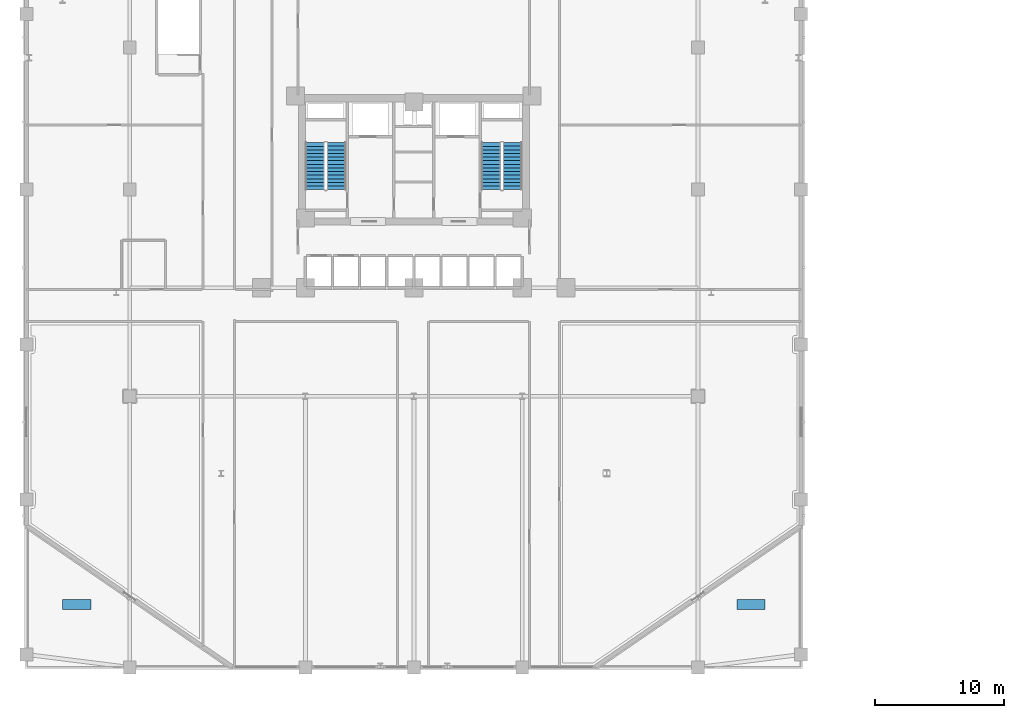
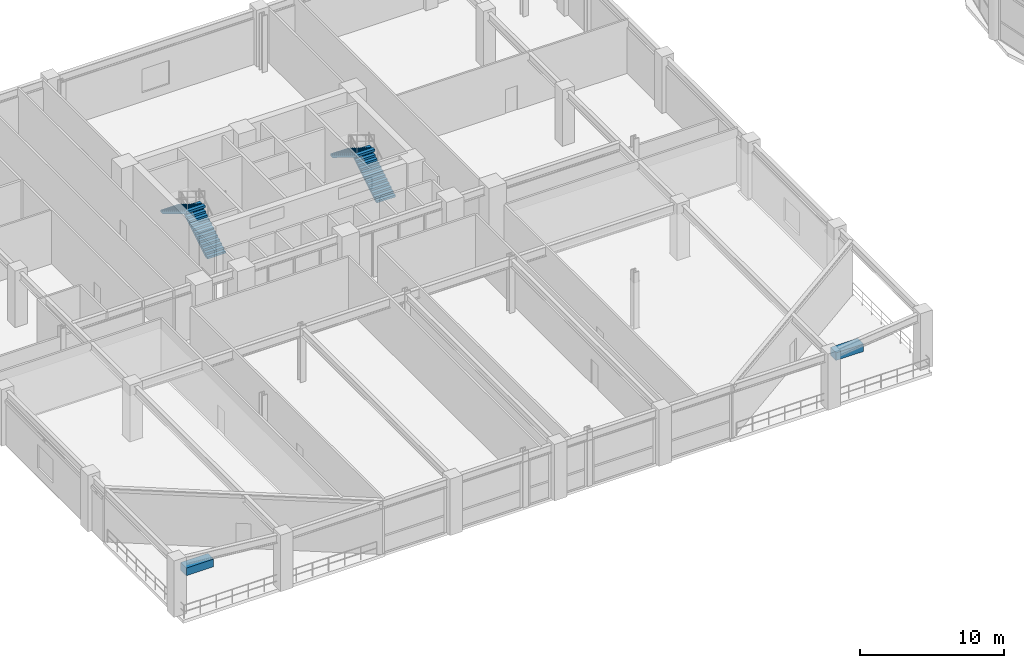
# One storey, part 19 of 26: 4 stair flights, 2 discrete accessories, 2 elements without a shape of their own.
"""IFC4 building model written with IfcOpenShell, lengths in metres."""

from ifc_helpers import new_model, si_unit, derived_unit, direction, frame, origin, origin_2d, place, context, subcontext, project, spatial, polyline, rectangle, outline, extrude, source, transform, mapped, material, type_object, element, aggregate, save


model = new_model("IFC4")

# Units and contexts
model_context = context("Model", 3, precision=1e-05, world=origin(), true_north=direction((0.0, 1.0)))
body_context = subcontext(model_context, "Body", "Model", "MODEL_VIEW")
ifc_project = project(units=[si_unit("LENGTHUNIT", "METRE"), si_unit("AREAUNIT", "SQUARE_METRE"), si_unit("VOLUMEUNIT", "CUBIC_METRE"), si_unit("PLANEANGLEUNIT", "RADIAN"), si_unit("MASSUNIT", "GRAM", prefix="KILO"), derived_unit("THERMALTRANSMITTANCEUNIT", [(si_unit("POWERUNIT", "WATT"), 1), (si_unit("LENGTHUNIT", "METRE"), -2), (si_unit("THERMODYNAMICTEMPERATUREUNIT", "KELVIN"), -1)])], contexts=[model_context])

# Site, building, storey
site_placement = place(None, origin())
site = spatial("IfcSite", under=ifc_project, at=site_placement, CompositionType="ELEMENT")
building_placement = place(site_placement, origin())
building = spatial("IfcBuilding", under=site, at=building_placement, Name="Korsvarv Bourse and Concert Hall", CompositionType="ELEMENT")
storey_placement = place(building_placement, frame((0.0, 0.0, 19.199951171875)))
storey = spatial("IfcBuildingStorey", under=building, at=storey_placement, Name="L04", CompositionType="ELEMENT", Elevation=19.199951171875)

# Stair, stair flights
ifc_material_1 = material(Name="Precast concrete C45/55", Category="concrete")
stair_type = type_object("IfcStairType", Name="STR-TYPE-02", PredefinedType="HALF_TURN_STAIR", material=ifc_material_1)
stair_1_placement = place(storey_placement, origin())
stair_1 = element("IfcStair", 1, at=stair_1_placement, inside=storey, type_object=stair_type, Name="L04 Tower West Exit Stair ST-T1", PredefinedType="HALF_TURN_STAIR")
stair_flight_type = type_object("IfcStairFlightType", Name="FLT-TYPE-02", PredefinedType="STRAIGHT", material=ifc_material_1)
stair_flight_1_placement = place(storey_placement, frame((30.010009765625, 40.0, 0.0), z_axis=(0.0, 0.0, 1.0), x_axis=(0.0, 1.0, 0.0)))
stair_flight_1 = element("IfcStairFlight", 2, at=stair_flight_1_placement, type_object=stair_flight_type, Name="ST-T1 flight 1", NumberOfRisers=14, NumberOfTreads=13, PredefinedType="STRAIGHT", RiserHeight=0.171428571, TreadLength=0.28, context=body_context, shape_type="SweptSolid", body=[
    extrude(outline(polyline([(0.0, 0.0), (0.0, 0.17138671875), (0.280029296875, 0.17138671875), (0.280029296875, 0.3427734375), (0.56005859375, 0.3427734375), (0.56005859375, 0.514404296875), (0.840087890625, 0.514404296875), (0.840087890625, 0.685791015625), (1.1201171875, 0.685791015625), (1.1201171875, 0.857177734375), (1.39990234375, 0.857177734375), (1.39990234375, 1.028564453125), (1.679931640625, 1.028564453125), (1.679931640625, 1.199951171875), (1.9599609375, 1.199951171875), (1.9599609375, 1.371337890625), (2.239990234375, 1.371337890625), (2.239990234375, 1.54296875), (2.52001953125, 1.54296875), (2.52001953125, 1.71435546875), (2.800048828125, 1.71435546875), (2.800048828125, 1.8857421875), (3.080078125, 1.8857421875), (3.080078125, 2.05712890625), (3.360107421875, 2.05712890625), (3.360107421875, 2.228515625), (3.639892578125, 2.228515625), (3.639892578125, 2.39990234375), (3.639892578125, 2.052734375), (0.287109375, 0.0), (0.0, 0.0)])), frame((0.0, 0.75, 0.0), z_axis=(0.0, -1.0, 0.0), x_axis=(1.0, 0.0, 0.0)), (0.0, 0.0, 1.0), 1.5),
])
stair_flight_2_placement = place(storey_placement, frame((28.35009765625, 43.639892578125, 2.400146484375), z_axis=(0.0, 0.0, 1.0), x_axis=(0.0, -1.0, 0.0)))
stair_flight_2 = element("IfcStairFlight", 3, at=stair_flight_2_placement, type_object=stair_flight_type, Name="ST-T1 flight 2", NumberOfRisers=14, NumberOfTreads=13, PredefinedType="STRAIGHT", RiserHeight=0.171428571, TreadLength=0.28, context=body_context, shape_type="SweptSolid", body=[
    extrude(outline(polyline([(0.0, 0.0), (0.0, 0.17138671875), (0.280029296875, 0.17138671875), (0.280029296875, 0.3427734375), (0.56005859375, 0.3427734375), (0.56005859375, 0.514404296875), (0.840087890625, 0.514404296875), (0.840087890625, 0.685791015625), (1.1201171875, 0.685791015625), (1.1201171875, 0.857177734375), (1.39990234375, 0.857177734375), (1.39990234375, 1.028564453125), (1.679931640625, 1.028564453125), (1.679931640625, 1.199951171875), (1.9599609375, 1.199951171875), (1.9599609375, 1.371337890625), (2.239990234375, 1.371337890625), (2.239990234375, 1.54296875), (2.52001953125, 1.54296875), (2.52001953125, 1.71435546875), (2.800048828125, 1.71435546875), (2.800048828125, 1.8857421875), (3.080078125, 1.8857421875), (3.080078125, 2.05712890625), (3.360107421875, 2.05712890625), (3.360107421875, 2.228515625), (3.639892578125, 2.228515625), (3.639892578125, 2.39990234375), (3.639892578125, 2.052734375), (0.287109375, 0.0), (0.0, 0.0)])), frame((0.0, 0.75, 0.0), z_axis=(0.0, -1.0, 0.0), x_axis=(1.0, 0.0, 0.0)), (0.0, 0.0, 1.0), 1.5),
])
aggregate(stair_1, [stair_flight_1, stair_flight_2])

stair_2_placement = place(storey_placement, origin())
stair_2 = element("IfcStair", 4, at=stair_2_placement, inside=storey, type_object=stair_type, Name="L04 Tower East Exit Stair ST-T2", PredefinedType="HALF_TURN_STAIR")
stair_flight_3_placement = place(storey_placement, frame((43.64990234375, 40.0, 0.0), z_axis=(0.0, 0.0, 1.0), x_axis=(0.0, 1.0, 0.0)))
stair_flight_3 = element("IfcStairFlight", 5, at=stair_flight_3_placement, type_object=stair_flight_type, Name="ST-T2 flight 1", NumberOfRisers=14, NumberOfTreads=13, PredefinedType="STRAIGHT", RiserHeight=0.171428571, TreadLength=0.28, context=body_context, shape_type="SweptSolid", body=[
    extrude(outline(polyline([(0.0, 0.0), (0.0, 0.17138671875), (0.280029296875, 0.17138671875), (0.280029296875, 0.3427734375), (0.56005859375, 0.3427734375), (0.56005859375, 0.514404296875), (0.840087890625, 0.514404296875), (0.840087890625, 0.685791015625), (1.1201171875, 0.685791015625), (1.1201171875, 0.857177734375), (1.39990234375, 0.857177734375), (1.39990234375, 1.028564453125), (1.679931640625, 1.028564453125), (1.679931640625, 1.199951171875), (1.9599609375, 1.199951171875), (1.9599609375, 1.371337890625), (2.239990234375, 1.371337890625), (2.239990234375, 1.54296875), (2.52001953125, 1.54296875), (2.52001953125, 1.71435546875), (2.800048828125, 1.71435546875), (2.800048828125, 1.8857421875), (3.080078125, 1.8857421875), (3.080078125, 2.05712890625), (3.360107421875, 2.05712890625), (3.360107421875, 2.228515625), (3.639892578125, 2.228515625), (3.639892578125, 2.39990234375), (3.639892578125, 2.052734375), (0.287109375, 0.0), (0.0, 0.0)])), frame((0.0, 0.75, 0.0), z_axis=(0.0, -1.0, 0.0), x_axis=(1.0, 0.0, 0.0)), (0.0, 0.0, 1.0), 1.5),
])
stair_flight_4_placement = place(storey_placement, frame((41.989990234375, 43.639892578125, 2.400146484375), z_axis=(0.0, 0.0, 1.0), x_axis=(0.0, -1.0, 0.0)))
stair_flight_4 = element("IfcStairFlight", 6, at=stair_flight_4_placement, type_object=stair_flight_type, Name="ST-T2 flight 2", NumberOfRisers=14, NumberOfTreads=13, PredefinedType="STRAIGHT", RiserHeight=0.171428571, TreadLength=0.28, context=body_context, shape_type="SweptSolid", body=[
    extrude(outline(polyline([(0.0, 0.0), (0.0, 0.17138671875), (0.280029296875, 0.17138671875), (0.280029296875, 0.3427734375), (0.56005859375, 0.3427734375), (0.56005859375, 0.514404296875), (0.840087890625, 0.514404296875), (0.840087890625, 0.685791015625), (1.1201171875, 0.685791015625), (1.1201171875, 0.857177734375), (1.39990234375, 0.857177734375), (1.39990234375, 1.028564453125), (1.679931640625, 1.028564453125), (1.679931640625, 1.199951171875), (1.9599609375, 1.199951171875), (1.9599609375, 1.371337890625), (2.239990234375, 1.371337890625), (2.239990234375, 1.54296875), (2.52001953125, 1.54296875), (2.52001953125, 1.71435546875), (2.800048828125, 1.71435546875), (2.800048828125, 1.8857421875), (3.080078125, 1.8857421875), (3.080078125, 2.05712890625), (3.360107421875, 2.05712890625), (3.360107421875, 2.228515625), (3.639892578125, 2.228515625), (3.639892578125, 2.39990234375), (3.639892578125, 2.052734375), (0.287109375, 0.0), (0.0, 0.0)])), frame((0.0, 0.75, 0.0), z_axis=(0.0, -1.0, 0.0), x_axis=(1.0, 0.0, 0.0)), (0.0, 0.0, 1.0), 1.5),
])
aggregate(stair_2, [stair_flight_3, stair_flight_4])

# Discrete accessories
ifc_material_2 = material(Name="Architectural precast concrete C45/55 with terracotta facing", Category="concrete")
discrete_accessory_type = type_object("IfcDiscreteAccessoryType", Name="ACC-PLN-1", PredefinedType="USERDEFINED", material=ifc_material_2)
shared_shape = source(origin(), body_context, "Body", "SweptSolid", [
    extrude(rectangle(XDim=2.199951171875, YDim=0.800048828125, at=origin_2d()), origin(), (0.0, 0.0, 1.0), 0.64990234375),
])
for number, where, z_axis, x_axis, name in (
    (7, (9.8828125, 7.8701171875, 0.0), (0.0, 0.0, 1.0), (1.0, 0.0, 0.0), "L04 landscaped terracotta planter 1"),
    (8, (62.1171875, 7.8701171875, 0.0), (0.0, 0.0, 1.0), (1.0, 0.0, 0.0), "L04 landscaped terracotta planter 1"),
):
    element("IfcDiscreteAccessory", number, at=place(storey_placement, frame(where, z_axis=z_axis, x_axis=x_axis)), inside=storey, type_object=discrete_accessory_type, Name=name, ObjectType="PLANTER", PredefinedType="USERDEFINED", context=body_context, shape_type="MappedRepresentation", body=[
        mapped(shared_shape, transform((0.0, 0.0, 0.0), scale=1.0)),
    ])

save(model, "model.ifc")
